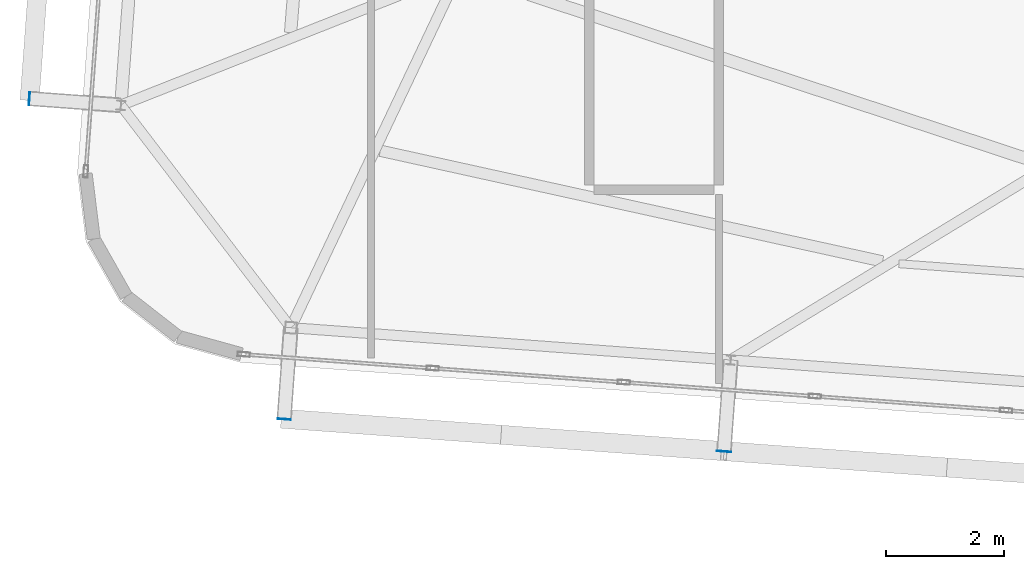
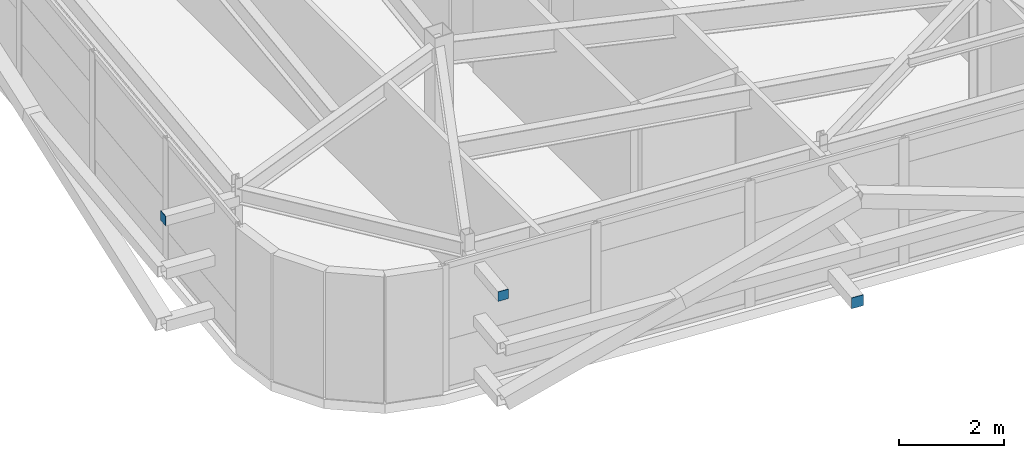
# One storey, part 31 of 42: 3 plates.
"""IFC4 building model written with IfcOpenShell, lengths in metres."""

import ifcopenshell
import ifcopenshell.guid

model = None  # the IFC model being written
_history = None  # IfcOwnerHistory: only IFC2X3 demands one
_inside = {}  # id of a spatial element -> (the spatial element, [elements in it])
_under = {}  # id of a project, library or spatial element -> (it, [spatial elements below it])
_declared = {}  # id of a project -> (the project, [libraries it declares])
_typed = {}  # id of a type object -> (the type object, [elements of that type])
_made_of = {}  # id of a material, layer set ... -> (it, [elements and type objects made of it])


def new_model(schema):
    """Start an empty IFC model of exactly this schema.

    Asked for "IFC4X3", IfcOpenShell would pick the latest addendum, in which some entities
    have other attributes; the version numbers below select the first issue.
    IFC2X3 requires an IfcOwnerHistory on every rooted entity: one is made here for all.
    """
    global model, _history
    if schema == "IFC4X3":
        model = ifcopenshell.file(schema_version=(4, 3, 0, 0))
    else:
        model = ifcopenshell.file(schema=schema)
    _inside.clear()
    _under.clear()
    _declared.clear()
    _typed.clear()
    _made_of.clear()
    _history = None
    if model.schema == "IFC2X3":
        org = make("IfcOrganization", Name="unknown")
        user = make(
            "IfcPersonAndOrganization",
            ThePerson=make("IfcPerson", FamilyName="unknown"),
            TheOrganization=org,
        )
        app = make(
            "IfcApplication",
            ApplicationDeveloper=org,
            Version="unknown",
            ApplicationFullName="unknown",
            ApplicationIdentifier="unknown",
        )
        _history = make(
            "IfcOwnerHistory",
            OwningUser=user,
            OwningApplication=app,
            ChangeAction="ADDED",
            CreationDate=0,
        )
    return model


def make(cls, **values):
    """One entity of the class cls with the attributes given. An attribute that is None is left unset."""
    return model.create_entity(
        cls, **{name: value for name, value in values.items() if value is not None}
    )


def rooted(cls, **values):
    """An entity with a GlobalId (a new one), such as an element, a storey or a relation."""
    return make(cls, GlobalId=ifcopenshell.guid.new(), OwnerHistory=_history, **values)


def si_unit(unit_type, name, prefix=None):
    """IfcSIUnit, for example si_unit("LENGTHUNIT", "METRE", prefix="MILLI")."""
    return make("IfcSIUnit", UnitType=unit_type, Prefix=prefix, Name=name)


def assignment(units):
    """IfcUnitAssignment: the units of a project."""
    return None if units is None else make("IfcUnitAssignment", Units=units)


def point(xyz):
    """IfcCartesianPoint."""
    return None if xyz is None else make("IfcCartesianPoint", Coordinates=xyz)


def direction(xyz):
    """IfcDirection."""
    return None if xyz is None else make("IfcDirection", DirectionRatios=xyz)


def frame(location, z_axis=None, x_axis=None):
    """IfcAxis2Placement3D, a coordinate frame: its origin and axes. An axis left out is left unset."""
    return make(
        "IfcAxis2Placement3D",
        Location=point(location),
        Axis=direction(z_axis),
        RefDirection=direction(x_axis),
    )


def frame_2d(location, x_axis=None):
    """IfcAxis2Placement2D, a coordinate frame in the plane: its origin and x axis."""
    return make(
        "IfcAxis2Placement2D", Location=point(location), RefDirection=direction(x_axis)
    )


def origin():
    """The frame at (0, 0, 0) with its axes left unset."""
    return frame((0.0, 0.0, 0.0))


def origin_2d():
    """The frame at (0, 0) in the plane with its x axis left unset."""
    return frame_2d((0.0, 0.0))


def place(relative_to, where):
    """IfcLocalPlacement: puts the frame where relative to a parent placement (None: the world)."""
    return make(
        "IfcLocalPlacement", PlacementRelTo=relative_to, RelativePlacement=where
    )


def context(
    kind, dimensions, precision=None, world=None, true_north=None, identifier=None
):
    """IfcGeometricRepresentationContext, for example the 3D "Model" context."""
    return make(
        "IfcGeometricRepresentationContext",
        ContextIdentifier=identifier,
        ContextType=kind,
        CoordinateSpaceDimension=dimensions,
        Precision=precision,
        WorldCoordinateSystem=world,
        TrueNorth=true_north,
    )


def subcontext(parent, identifier, kind, view, scale=None):
    """IfcGeometricRepresentationSubContext, for example "Body" below "Model"."""
    return make(
        "IfcGeometricRepresentationSubContext",
        ContextIdentifier=identifier,
        ContextType=kind,
        ParentContext=parent,
        TargetScale=scale,
        TargetView=view,
    )


def project(units=None, contexts=None):
    """IfcProject with its units and contexts."""
    return rooted(
        "IfcProject",
        Name="project",
        RepresentationContexts=contexts,
        UnitsInContext=assignment(units),
    )


def spatial(cls, under=None, at=None, **own):
    """A site, building, storey or space (cls), placed at a placement, below another one or the project."""
    s = rooted(cls, ObjectPlacement=at, **own)
    if under is not None:
        _under.setdefault(under.id(), (under, []))[1].append(s)
    return s


def profile(cls, at=None, kind="AREA", **sizes):
    """A parametric profile (cls). Its sizes go by their IFC names, for example OverallWidth=200.0."""
    return make(cls, ProfileType=kind, Position=at, **sizes)


def rectangle(**sizes):
    """IfcRectangleProfileDef."""
    return profile("IfcRectangleProfileDef", **sizes)


def extrude(swept, where, along, depth):
    """IfcExtrudedAreaSolid: the profile swept, set in the frame where, extruded along a direction by depth."""
    return make(
        "IfcExtrudedAreaSolid",
        SweptArea=swept,
        Position=where,
        ExtrudedDirection=direction(along),
        Depth=depth,
    )


def shape(context_of_items, identifier, shape_type, items):
    """IfcShapeRepresentation: the items that make up one representation, for example the "Body"."""
    return make(
        "IfcShapeRepresentation",
        ContextOfItems=context_of_items,
        RepresentationIdentifier=identifier,
        RepresentationType=shape_type,
        Items=items,
    )


def source(mapping_origin, context_of_items, identifier, shape_type, items):
    """IfcRepresentationMap: a shape defined once, which mapped items show again and again."""
    return make(
        "IfcRepresentationMap",
        MappingOrigin=mapping_origin,
        MappedRepresentation=shape(context_of_items, identifier, shape_type, items),
    )


def transform(
    local_origin,
    x_axis=None,
    y_axis=None,
    z_axis=None,
    scale=None,
    scale2=None,
    scale3=None,
    uniform=True,
):
    """IfcCartesianTransformationOperator3D, or its non-uniform kind. x_axis, y_axis, z_axis: its Axis1, 2, 3."""
    if uniform:
        return make(
            "IfcCartesianTransformationOperator3D",
            Axis1=direction(x_axis),
            Axis2=direction(y_axis),
            LocalOrigin=point(local_origin),
            Scale=scale,
            Axis3=direction(z_axis),
        )
    return make(
        "IfcCartesianTransformationOperator3DnonUniform",
        Axis1=direction(x_axis),
        Axis2=direction(y_axis),
        LocalOrigin=point(local_origin),
        Scale=scale,
        Axis3=direction(z_axis),
        Scale2=scale2,
        Scale3=scale3,
    )


def mapped(mapping_source, mapping_target):
    """IfcMappedItem: shows the shape of a source again, moved by a transform."""
    return make(
        "IfcMappedItem", MappingSource=mapping_source, MappingTarget=mapping_target
    )


def material(Name=None, Category=None):
    """IfcMaterial."""
    return make("IfcMaterial", Name=Name, Category=Category)


def layer(
    of_material, thickness, ventilated=None, Name=None, Category=None, Priority=None
):
    """IfcMaterialLayer: one layer of a wall or slab, of a material (None: an air gap)."""
    return make(
        "IfcMaterialLayer",
        Material=of_material,
        LayerThickness=thickness,
        IsVentilated=ventilated,
        Name=Name,
        Category=Category,
        Priority=Priority,
    )


def layer_set(layers, Name=None):
    """IfcMaterialLayerSet."""
    return make("IfcMaterialLayerSet", MaterialLayers=layers, LayerSetName=Name)


def made_of(thing, what):
    """Note that an element or type object is made of a material, layer set ...; save() writes the relation."""
    if what is not None:
        _made_of.setdefault(what.id(), (what, []))[1].append(thing)
    return thing


def type_object(cls, material=None, **own):
    """A type object (cls), such as IfcWallType, which elements share."""
    return made_of(rooted(cls, **own), material)


def element(
    cls,
    number,
    at=None,
    inside=None,
    cuts=None,
    type_object=None,
    material=None,
    context=None,
    identifier="Body",
    shape_type=None,
    held_by="IfcProductDefinitionShape",
    body=None,
    shapes=None,
    **own,
):
    """One element of the class cls, such as IfcWall. Its Tag is "e" and its number.

    at: its placement. inside: the storey or other place that contains it. cuts: it is an
    opening in that element (IfcRelVoidsElement). A single representation is given by context,
    identifier, shape_type and body (its items); several are given by shapes. held_by: the class
    of the entity that holds the representations. save() writes the other relations.
    """
    e = rooted(cls, Tag="e%d" % number, ObjectPlacement=at, **own)
    if body is not None:
        shapes = [shape(context, identifier, shape_type, body)]
    if shapes is not None:
        e.Representation = make(held_by, Representations=shapes)
    if inside is not None:
        _inside.setdefault(inside.id(), (inside, []))[1].append(e)
    if cuts is not None:
        rooted(
            "IfcRelVoidsElement", RelatingBuildingElement=cuts, RelatedOpeningElement=e
        )
    if type_object is not None:
        _typed.setdefault(type_object.id(), (type_object, []))[1].append(e)
    return made_of(e, material)


def aggregate(whole, parts):
    """IfcRelAggregates: a whole, such as a stair, and the parts it consists of."""
    return rooted("IfcRelAggregates", RelatingObject=whole, RelatedObjects=parts)


def save(model, path):
    """Write the relations noted so far, then the file.

    IfcRelAggregates (storeys below a building ...), IfcRelContainedInSpatialStructure (elements
    in a storey), IfcRelDefinesByType, IfcRelAssociatesMaterial and IfcRelDeclares: one each for
    every whole, place, type object, material and project.
    """
    for whole, parts in _under.values():
        aggregate(whole, parts)
    for where, things in _inside.values():
        rooted(
            "IfcRelContainedInSpatialStructure",
            RelatedElements=things,
            RelatingStructure=where,
        )
    for kind, things in _typed.values():
        rooted("IfcRelDefinesByType", RelatedObjects=things, RelatingType=kind)
    for what, things in _made_of.values():
        rooted("IfcRelAssociatesMaterial", RelatedObjects=things, RelatingMaterial=what)
    for by, libraries in _declared.values():
        rooted("IfcRelDeclares", RelatingContext=by, RelatedDefinitions=libraries)
    model.write(path)


model = new_model("IFC4")

# Units and contexts
model_context = context("Model", 3, precision=1e-05, world=origin(), true_north=direction((0.0, 1.0)))
body_context = subcontext(model_context, "Body", "Model", "MODEL_VIEW")
ifc_project = project(units=[si_unit("LENGTHUNIT", "METRE"), si_unit("AREAUNIT", "SQUARE_METRE"), si_unit("VOLUMEUNIT", "CUBIC_METRE"), si_unit("PLANEANGLEUNIT", "RADIAN"), si_unit("MASSUNIT", "GRAM", prefix="KILO")], contexts=[model_context])

# Site, building, storey
site_placement = place(None, origin())
site = spatial("IfcSite", under=ifc_project, at=site_placement, CompositionType="ELEMENT")
building_placement = place(site_placement, origin())
building = spatial("IfcBuilding", under=site, at=building_placement, Name="Taldren Reach Tower", CompositionType="ELEMENT")
storey_placement = place(building_placement, frame((0.0, 0.0, 217.699951171875)))
storey = spatial("IfcBuildingStorey", under=building, at=storey_placement, Name="L66", CompositionType="ELEMENT", Elevation=217.699951171875)

# Plates
ifc_material_1 = material(Name="Steel Gr 350 (C350L0)", Category="steel")
ifc_layer_1 = layer(ifc_material_1, 0.011962890625)
ifc_layer_set_1 = layer_set([ifc_layer_1], Name="Steel Gr 350 (C350L0)")
plate_type_1 = type_object("IfcPlateType", Name="PL-CAP-250", PredefinedType="SHEET", material=ifc_layer_set_1)
shared_shape_1 = source(origin(), body_context, "Body", "SweptSolid", [
    extrude(rectangle(XDim=0.25, YDim=0.011962890625, at=origin_2d()), origin(), (0.0, 0.0, 1.0), 0.25),
])
plate_1_placement = place(storey_placement, frame((22.486572265625, 4.360595703125, 0.094970703125), z_axis=(0.0, 0.0, 1.0), x_axis=(0.997314477224, -0.073238197128, 0.0)))
element("IfcPlate", 1, at=plate_1_placement, inside=storey, type_object=plate_type_1, Name="Tie strut end cap plate B5-S2 L66", PredefinedType="SHEET", context=body_context, shape_type="MappedRepresentation", body=[
    mapped(shared_shape_1, transform((0.0, 0.0, 0.0), scale=1.0)),
])
ifc_material_2 = material(Name="Steel Gr 450 (C450L0)", Category="steel")
ifc_layer_2 = layer(ifc_material_2, 0.011962890625)
ifc_layer_set_2 = layer_set([ifc_layer_2], Name="Steel Gr 450 (C450L0)")
plate_type_2 = type_object("IfcPlateType", Name="PL-CAP-220", PredefinedType="SHEET", material=ifc_layer_set_2)
shared_shape_2 = source(origin(), body_context, "Body", "SweptSolid", [
    extrude(rectangle(XDim=0.219970703125, YDim=0.011962890625, at=origin_2d()), origin(), (0.0, 0.0, 1.0), 0.219970703125),
])
plate_2_placement = place(storey_placement, frame((15.026611328125, 4.908447265625, 2.5400390625), z_axis=(0.0, 0.0, 1.0), x_axis=(0.997314477224, -0.073238197128, 0.0)))
element("IfcPlate", 2, at=plate_2_placement, inside=storey, type_object=plate_type_2, Name="Tie strut end cap plate B5-S1 L66", PredefinedType="SHEET", context=body_context, shape_type="MappedRepresentation", body=[
    mapped(shared_shape_2, transform((0.0, 0.0, 0.0), scale=1.0)),
])
shared_shape_3 = source(origin(), body_context, "Body", "SweptSolid", [
    extrude(rectangle(XDim=0.011962890625, YDim=0.219970703125, at=origin_2d()), origin(), (0.0, 0.0, 1.0), 0.219970703125),
])
plate_3_placement = place(storey_placement, frame((10.707275390625, 10.345458984375, 2.5400390625), z_axis=(0.0, 0.0, 1.0), x_axis=(0.997314477224, -0.073238197128, 0.0)))
element("IfcPlate", 3, at=plate_3_placement, inside=storey, type_object=plate_type_2, Name="Tie strut end cap plate B5-W1 L66", PredefinedType="SHEET", context=body_context, shape_type="MappedRepresentation", body=[
    mapped(shared_shape_3, transform((0.0, 0.0, 0.0), scale=1.0)),
])

save(model, "model.ifc")
